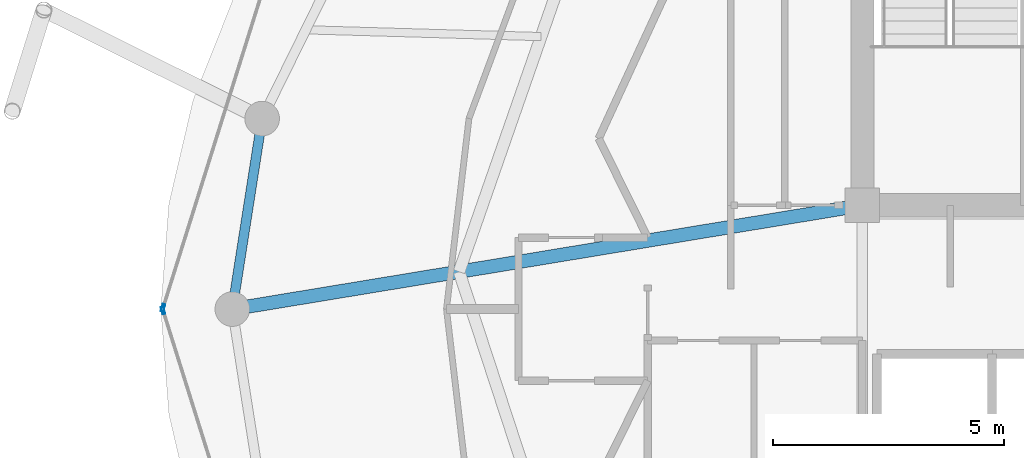
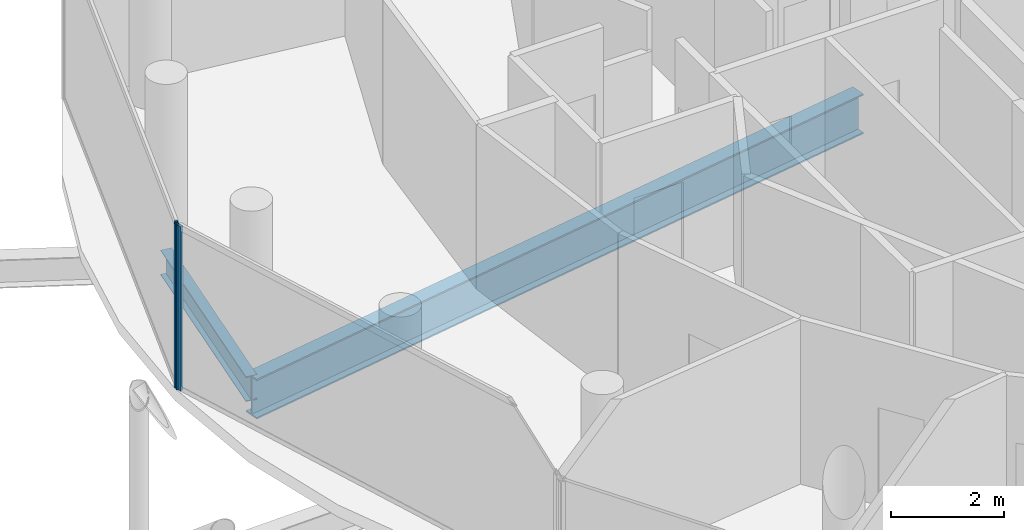
# One storey, part 6 of 24: 2 beams, 2 members, 2 elements without a shape of their own.
"""IFC4 building model written with IfcOpenShell, lengths in metres."""

from ifc_helpers import new_model, si_unit, direction, frame, origin, origin_2d, place, context, subcontext, project, spatial, hollow_rectangle, i_section, extrude, material, layer, layer_set, material_profile, profile_set, type_object, element, aggregate, save


model = new_model("IFC4")

# Units and contexts
model_context = context("Model", 3, precision=1e-05, world=origin(), true_north=direction((0.0, 1.0)))
body_context = subcontext(model_context, "Body", "Model", "MODEL_VIEW")
ifc_project = project(units=[si_unit("LENGTHUNIT", "METRE"), si_unit("AREAUNIT", "SQUARE_METRE"), si_unit("VOLUMEUNIT", "CUBIC_METRE"), si_unit("PLANEANGLEUNIT", "RADIAN"), si_unit("MASSUNIT", "GRAM", prefix="KILO")], contexts=[model_context])

# Site, building, storey
site_placement = place(None, origin())
site = spatial("IfcSite", under=ifc_project, at=site_placement, CompositionType="ELEMENT")
building_placement = place(site_placement, origin())
building = spatial("IfcBuilding", under=site, at=building_placement, Name="Nuhasar Tower", CompositionType="ELEMENT")
storey_placement = place(building_placement, frame((0.0, 0.0, 267.0)))
storey = spatial("IfcBuildingStorey", under=building, at=storey_placement, Name="L66", CompositionType="ELEMENT", Elevation=267.0)

# Beams
ifc_material_1 = material(Name="Steel S355", Category="steel")
ifc_material_profile_1 = material_profile(ifc_material_1, i_section(OverallWidth=0.2919921875, OverallDepth=0.85888671875, WebThickness=0.01708984375, FlangeThickness=0.031005859375, at=origin_2d()), Name="W33X169")
ifc_profile_set_1 = profile_set([ifc_material_profile_1], Name="Steel S355")
beam_type_1 = type_object("IfcBeamType", Name="BM-POD-W33X169", PredefinedType="BEAM", material=ifc_profile_set_1)
beam_1_placement = place(storey_placement, frame((33.699951171875, 29.050048828125, -0.68994140625), z_axis=(-0.986685215874, -0.162641583786, 0.0), x_axis=(0.162641583786, -0.986685215874, 0.0)))
element("IfcBeam", 1, at=beam_1_placement, inside=storey, type_object=beam_type_1, Name="L66 Radial Floor Girder 08", PredefinedType="BEAM", context=body_context, shape_type="SweptSolid", body=[
    extrude(i_section(OverallWidth=0.2919921875, OverallDepth=0.85888671875, WebThickness=0.01708984375, FlangeThickness=0.031005859375, at=origin_2d()), origin(), (0.0, 0.0, 1.0), 13.833984375),
])
ifc_material_profile_2 = material_profile(ifc_material_1, i_section(OverallWidth=0.2099609375, OverallDepth=0.537109375, WebThickness=0.010986328125, FlangeThickness=0.017333984375, at=origin_2d()), Name="W21X68")
ifc_profile_set_2 = profile_set([ifc_material_profile_2], Name="Steel S355")
beam_type_2 = type_object("IfcBeamType", Name="BM-RING-W21X68", PredefinedType="SPANDREL", material=ifc_profile_set_2)
beam_2_placement = place(storey_placement, frame((20.696044921875, 30.927978515625, -0.529052734375), z_axis=(-0.154612165232, -0.987975241776, 0.0), x_axis=(0.987975241776, -0.154612165232, 0.0)))
element("IfcBeam", 2, at=beam_2_placement, inside=storey, type_object=beam_type_2, Name="L66 Perimeter Ring Spandrel 12", PredefinedType="SPANDREL", context=body_context, shape_type="SweptSolid", body=[
    extrude(i_section(OverallWidth=0.2099609375, OverallDepth=0.537109375, WebThickness=0.010986328125, FlangeThickness=0.017333984375, at=origin_2d()), origin(), (0.0, 0.0, 1.0), 4.17822265625),
])

# Curtain wall, member
ifc_material_2 = material(Name="Aluminium 6063-T6", Category="aluminium")
ifc_layer = layer(ifc_material_2, 0.18994140625)
ifc_layer_set = layer_set([ifc_layer], Name="Aluminium 6063-T6")
curtain_wall_type = type_object("IfcCurtainWallType", Name="CW-Z4-PEN", PredefinedType="NOTDEFINED", material=ifc_layer_set)
curtain_wall_1_placement = place(storey_placement, origin())
curtain_wall_1 = element("IfcCurtainWall", 3, at=curtain_wall_1_placement, inside=storey, type_object=curtain_wall_type, Name="L66 Unitised Curtain Wall 06", PredefinedType="NOTDEFINED")
ifc_material_profile_3 = material_profile(ifc_material_2, hollow_rectangle(XDim=0.06005859375, YDim=0.1650390625, WallThickness=0.0048828125, at=origin_2d()), Name="CWM-5")
ifc_profile_set_3 = profile_set([ifc_material_profile_3], Name="Aluminium 6063-T6")
member_type = type_object("IfcMemberType", Name="CW-MUL-S5", PredefinedType="MULLION", material=ifc_profile_set_3)
member_1_placement = place(storey_placement, frame((18.549072265625, 26.82861328125, 0.0), z_axis=(0.0, 0.0, 1.0), x_axis=(0.954078526601, -0.299556614146, 0.0)))
member_1 = element("IfcMember", 4, at=member_1_placement, type_object=member_type, Name="CW-Z4 mullion 2", PredefinedType="MULLION", context=body_context, shape_type="SweptSolid", body=[
    extrude(hollow_rectangle(XDim=0.06005859375, YDim=0.1650390625, WallThickness=0.0048828125, at=origin_2d()), origin(), (0.0, 0.0, 1.0), 3.5400390625),
])
aggregate(curtain_wall_1, [member_1])

curtain_wall_2_placement = place(storey_placement, origin())
curtain_wall_2 = element("IfcCurtainWall", 5, at=curtain_wall_2_placement, inside=storey, type_object=curtain_wall_type, Name="L66 Unitised Curtain Wall 07", PredefinedType="NOTDEFINED")
member_2_placement = place(storey_placement, frame((18.549072265625, 26.771484375, 0.0), z_axis=(0.0, 0.0, 1.0), x_axis=(0.954078526601, 0.299556614146, 0.0)))
member_2 = element("IfcMember", 6, at=member_2_placement, type_object=member_type, Name="CW-Z4 mullion 1", PredefinedType="MULLION", context=body_context, shape_type="SweptSolid", body=[
    extrude(hollow_rectangle(XDim=0.06005859375, YDim=0.1650390625, WallThickness=0.0048828125, at=origin_2d()), origin(), (0.0, 0.0, 1.0), 3.5400390625),
])
aggregate(curtain_wall_2, [member_2])

save(model, "model.ifc")
